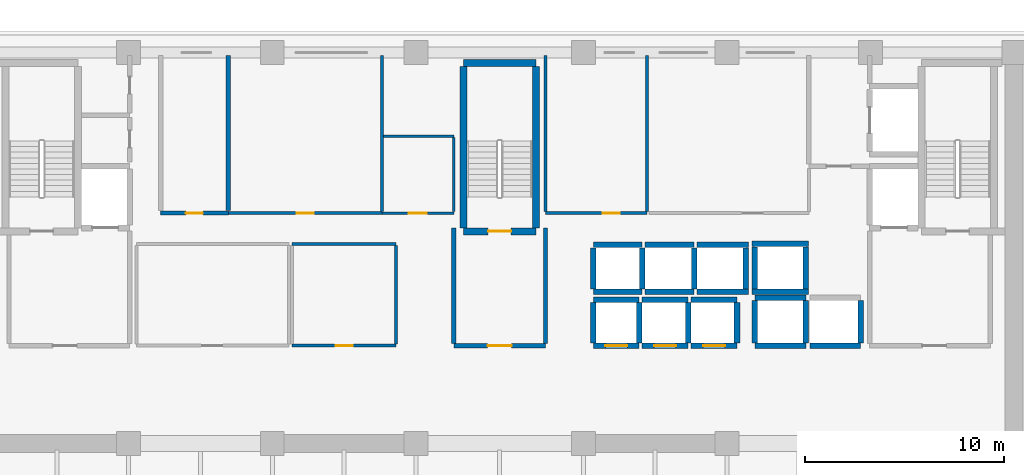
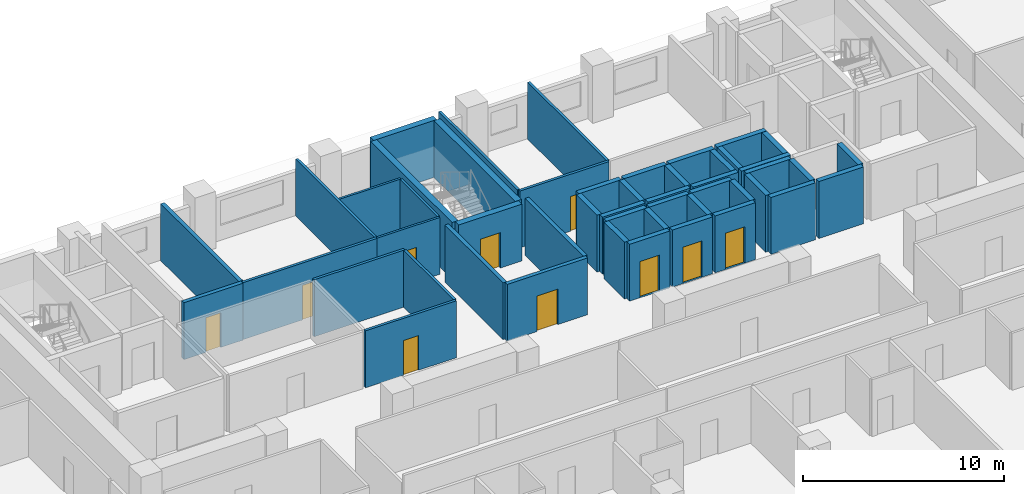
# One storey, part 7 of 15: 50 walls, 10 doors, 10 openings.
"""IFC4 building model written with IfcOpenShell, lengths in metres."""

from ifc_helpers import new_model, si_unit, direction, frame, frame_2d, origin, place, context, subcontext, project, spatial, rectangle, extrude, material, layer, layer_set, type_object, element, fill, save


model = new_model("IFC4")

# Units and contexts
model_context = context("Model", 3, precision=1e-05, world=origin(), true_north=direction((0.0, 1.0)))
body_context = subcontext(model_context, "Body", "Model", "MODEL_VIEW")
ifc_project = project(units=[si_unit("LENGTHUNIT", "METRE"), si_unit("AREAUNIT", "SQUARE_METRE"), si_unit("VOLUMEUNIT", "CUBIC_METRE"), si_unit("PLANEANGLEUNIT", "RADIAN"), si_unit("MASSUNIT", "GRAM", prefix="KILO")], contexts=[model_context])

# Site, building, storey
site_placement = place(None, origin())
site = spatial("IfcSite", under=ifc_project, at=site_placement, CompositionType="ELEMENT")
building_placement = place(site_placement, origin())
building = spatial("IfcBuilding", under=site, at=building_placement, Name="Kaelvorn Grand Hotel", CompositionType="ELEMENT")
storey_placement = place(building_placement, frame((0.0, 0.0, 180.949951171875)))
storey = spatial("IfcBuildingStorey", under=building, at=storey_placement, Name="L44", CompositionType="ELEMENT", Elevation=180.949951171875)

# Wall, opening, door
ifc_material_1 = material(Name="Moisture-Resistant Tile & Stud Board")
ifc_layer_1 = layer(ifc_material_1, 0.125)
ifc_layer_set_1 = layer_set([ifc_layer_1], Name="Moisture-Resistant Tile & Stud Board")
wall_type_1 = type_object("IfcWallType", Name="WL-PART-125-WET", PredefinedType="PARTITIONING", material=ifc_layer_set_1)
wall_1_placement = place(storey_placement, frame((36.110107421875, 40.949951171875, 0.0), z_axis=(0.0, 0.0, 1.0), x_axis=(1.0, 0.0, 0.0)))
wall_1 = element("IfcWall", 1, at=wall_1_placement, inside=storey, type_object=wall_type_1, Name="L44 Accessible WC S Partition", PredefinedType="PARTITIONING", context=body_context, shape_type="SweptSolid", body=[
    extrude(rectangle(XDim=3.58984375, YDim=0.125, at=frame_2d((1.794921875, 0.0))), origin(), (0.0, 0.0, 1.0), 3.449951171875),
])
opening_1_placement = place(wall_1_placement, frame((1.340087890625, 0.0, 0.0)))
opening_1 = element("IfcOpeningElement", 2, at=opening_1_placement, cuts=wall_1, Name="Opening DI4", PredefinedType="OPENING", context=body_context, shape_type="SweptSolid", body=[
    extrude(rectangle(XDim=0.89990234375, YDim=2.10009765625, at=frame_2d((0.449951171875, 1.050048828125))), frame((0.0, 0.072509765625, 0.0), z_axis=(0.0, -1.0, 0.0), x_axis=(1.0, 0.0, 0.0)), (0.0, 0.0, 1.0), 0.14501953125),
])
ifc_material_2 = material(Name="Timber Veneer Leaf", Category="wood")
door_type_1 = type_object("IfcDoorType", Name="DR-INT-BATH-900x2100", OperationType="NOTDEFINED", PredefinedType="DOOR", material=ifc_material_2)
door_1_placement = place(opening_1_placement, origin())
door_1 = element("IfcDoor", 3, at=door_1_placement, inside=storey, type_object=door_type_1, Name="L44 Accessible WC Door", OperationType="SINGLE_SWING_RIGHT", OverallHeight=2.10009765625, OverallWidth=0.89990234375, PredefinedType="DOOR", context=body_context, shape_type="SweptSolid", body=[
    extrude(rectangle(XDim=0.89990234375, YDim=2.10009765625, at=frame_2d((0.449951171875, 1.050048828125))), frame((0.0, 0.02490234375, 0.0), z_axis=(0.0, -1.0, 0.0), x_axis=(1.0, 0.0, 0.0)), (0.0, 0.0, 1.0), 0.050048828125),
])
fill(opening_1, door_1)

# Walls
wall_2_placement = place(storey_placement, frame((36.179931640625, 44.800048828125, 0.0), z_axis=(0.0, 0.0, 1.0), x_axis=(1.0, 0.0, 0.0)))
element("IfcWall", 4, at=wall_2_placement, inside=storey, type_object=wall_type_1, Name="L44 Accessible WC N Partition", PredefinedType="PARTITIONING", context=body_context, shape_type="SweptSolid", body=[
    extrude(rectangle(XDim=3.52001953125, YDim=0.125, at=frame_2d((1.760009765625, 0.0))), origin(), (0.0, 0.0, 1.0), 3.449951171875),
])
wall_3_placement = place(storey_placement, frame((39.699951171875, 41.017578125, 0.0), z_axis=(0.0, 0.0, 1.0), x_axis=(0.0, 1.0, 0.0)))
element("IfcWall", 5, at=wall_3_placement, inside=storey, type_object=wall_type_1, Name="L44 Accessible WC E Partition", PredefinedType="PARTITIONING", context=body_context, shape_type="SweptSolid", body=[
    extrude(rectangle(XDim=3.71484375, YDim=0.125, at=frame_2d((1.857421875, 0.0))), origin(), (0.0, 0.0, 1.0), 3.449951171875),
])

# Wall, opening, door
ifc_material_3 = material(Name="Acoustic Gypsum & Stud Partition")
ifc_layer_2 = layer(ifc_material_3, 0.14990234375)
ifc_layer_set_2 = layer_set([ifc_layer_2], Name="Acoustic Gypsum & Stud Partition")
wall_type_2 = type_object("IfcWallType", Name="WL-PART-150-EI60", PredefinedType="PARTITIONING", material=ifc_layer_set_2)
wall_4_placement = place(storey_placement, frame((31.60009765625, 34.300048828125, 0.0), z_axis=(0.0, 0.0, 1.0), x_axis=(1.0, 0.0, 0.0)))
wall_4 = element("IfcWall", 6, at=wall_4_placement, inside=storey, type_object=wall_type_2, Name="L44 Core Telecoms & BMS Server Room S Partition", PredefinedType="PARTITIONING", context=body_context, shape_type="SweptSolid", body=[
    extrude(rectangle(XDim=5.199951171875, YDim=0.14990234375, at=frame_2d((2.60009765625, 0.0))), origin(), (0.0, 0.0, 1.0), 3.449951171875),
])
opening_2_placement = place(wall_4_placement, frame((2.175048828125, 0.0, 0.0)))
opening_2 = element("IfcOpeningElement", 7, at=opening_2_placement, cuts=wall_4, Name="Opening DI7", PredefinedType="OPENING", context=body_context, shape_type="SweptSolid", body=[
    extrude(rectangle(XDim=0.85009765625, YDim=2.10009765625, at=frame_2d((0.425048828125, 1.050048828125))), frame((0.0, 0.0849609375, 0.0), z_axis=(0.0, -1.0, 0.0), x_axis=(1.0, 0.0, 0.0)), (0.0, 0.0, 1.0), 0.169921875),
])
ifc_material_4 = material(Name="Powder-Coated Steel Leaf", Category="steel")
door_type_2 = type_object("IfcDoorType", Name="DR-INT-RISER-850x2100", OperationType="NOTDEFINED", PredefinedType="DOOR", material=ifc_material_4)
door_2_placement = place(opening_2_placement, origin())
door_2 = element("IfcDoor", 8, at=door_2_placement, inside=storey, type_object=door_type_2, Name="L44 Core Telecoms & BMS Server Room Door", OperationType="SINGLE_SWING_RIGHT", OverallHeight=2.10009765625, OverallWidth=0.85009765625, PredefinedType="DOOR", context=body_context, shape_type="SweptSolid", body=[
    extrude(rectangle(XDim=0.85009765625, YDim=2.10009765625, at=frame_2d((0.425048828125, 1.050048828125))), frame((0.0, 0.02490234375, 0.0), z_axis=(0.0, -1.0, 0.0), x_axis=(1.0, 0.0, 0.0)), (0.0, 0.0, 1.0), 0.050048828125),
])
fill(opening_2, door_2)

# Walls
wall_5_placement = place(storey_placement, frame((31.60009765625, 39.39990234375, 0.0), z_axis=(0.0, 0.0, 1.0), x_axis=(1.0, 0.0, 0.0)))
element("IfcWall", 9, at=wall_5_placement, inside=storey, type_object=wall_type_2, Name="L44 Core Telecoms & BMS Server Room N Partition", PredefinedType="PARTITIONING", context=body_context, shape_type="SweptSolid", body=[
    extrude(rectangle(XDim=5.199951171875, YDim=0.14990234375, at=frame_2d((2.60009765625, 0.0))), origin(), (0.0, 0.0, 1.0), 3.449951171875),
])
wall_6_placement = place(storey_placement, frame((36.800048828125, 34.3798828125, 0.0), z_axis=(0.0, 0.0, 1.0), x_axis=(0.0, 1.0, 0.0)))
element("IfcWall", 10, at=wall_6_placement, inside=storey, type_object=wall_type_2, Name="L44 Core Telecoms & BMS Server Room E Partition", PredefinedType="PARTITIONING", context=body_context, shape_type="SweptSolid", body=[
    extrude(rectangle(XDim=4.940185546875, YDim=0.14990234375, at=frame_2d((2.47021484375, 0.0))), origin(), (0.0, 0.0, 1.0), 3.449951171875),
])

# Wall, opening, door
wall_7_placement = place(storey_placement, frame((28.409912109375, 40.949951171875, 0.0), z_axis=(0.0, 0.0, 1.0), x_axis=(1.0, 0.0, 0.0)))
wall_7 = element("IfcWall", 11, at=wall_7_placement, inside=storey, type_object=wall_type_2, Name="L44 Housekeeping & Linen Room S Partition", PredefinedType="PARTITIONING", context=body_context, shape_type="SweptSolid", body=[
    extrude(rectangle(XDim=7.690185546875, YDim=0.14990234375, at=frame_2d((3.84521484375, 0.0))), origin(), (0.0, 0.0, 1.0), 3.449951171875),
])
opening_3_placement = place(wall_7_placement, frame((3.4150390625, 0.0, 0.0)))
opening_3 = element("IfcOpeningElement", 12, at=opening_3_placement, cuts=wall_7, Name="Opening DI7", PredefinedType="OPENING", context=body_context, shape_type="SweptSolid", body=[
    extrude(rectangle(XDim=0.85009765625, YDim=2.10009765625, at=frame_2d((0.425048828125, 1.050048828125))), frame((0.0, 0.0849609375, 0.0), z_axis=(0.0, -1.0, 0.0), x_axis=(1.0, 0.0, 0.0)), (0.0, 0.0, 1.0), 0.169921875),
])
door_3_placement = place(opening_3_placement, origin())
door_3 = element("IfcDoor", 13, at=door_3_placement, inside=storey, type_object=door_type_2, Name="L44 Housekeeping & Linen Room Door", OperationType="SINGLE_SWING_LEFT", OverallHeight=2.10009765625, OverallWidth=0.85009765625, PredefinedType="DOOR", context=body_context, shape_type="SweptSolid", body=[
    extrude(rectangle(XDim=0.85009765625, YDim=2.10009765625, at=frame_2d((0.425048828125, 1.050048828125))), frame((0.0, 0.02490234375, 0.0), z_axis=(0.0, -1.0, 0.0), x_axis=(1.0, 0.0, 0.0)), (0.0, 0.0, 1.0), 0.050048828125),
])
fill(opening_3, door_3)

# Wall
wall_8_placement = place(storey_placement, frame((36.10009765625, 41.030029296875, 0.0), z_axis=(0.0, 0.0, 1.0), x_axis=(0.0, 1.0, 0.0)))
element("IfcWall", 14, at=wall_8_placement, inside=storey, type_object=wall_type_2, Name="L44 Housekeeping & Linen Room E Partition", PredefinedType="PARTITIONING", context=body_context, shape_type="SweptSolid", body=[
    extrude(rectangle(XDim=7.820068359375, YDim=0.14990234375, at=frame_2d((3.91015625, 0.0))), origin(), (0.0, 0.0, 1.0), 3.449951171875),
])

# Wall, opening, door
wall_9_placement = place(storey_placement, frame((44.300048828125, 40.949951171875, 0.0), z_axis=(0.0, 0.0, 1.0), x_axis=(1.0, 0.0, 0.0)))
wall_9 = element("IfcWall", 15, at=wall_9_placement, inside=storey, type_object=wall_type_2, Name="L44 Laundry Chute Vestibule S Partition", PredefinedType="PARTITIONING", context=body_context, shape_type="SweptSolid", body=[
    extrude(rectangle(XDim=5.099853515625, YDim=0.14990234375, at=frame_2d((2.5498046875, 0.0))), origin(), (0.0, 0.0, 1.0), 3.449951171875),
])
opening_4_placement = place(wall_9_placement, frame((2.875, 0.0, 0.0)))
opening_4 = element("IfcOpeningElement", 16, at=opening_4_placement, cuts=wall_9, Name="Opening DI7", PredefinedType="OPENING", context=body_context, shape_type="SweptSolid", body=[
    extrude(rectangle(XDim=0.85009765625, YDim=2.10009765625, at=frame_2d((0.425048828125, 1.050048828125))), frame((0.0, 0.0849609375, 0.0), z_axis=(0.0, -1.0, 0.0), x_axis=(1.0, 0.0, 0.0)), (0.0, 0.0, 1.0), 0.169921875),
])
door_4_placement = place(opening_4_placement, origin())
door_4 = element("IfcDoor", 17, at=door_4_placement, inside=storey, type_object=door_type_2, Name="L44 Laundry Chute Vestibule Door", OperationType="SINGLE_SWING_LEFT", OverallHeight=2.10009765625, OverallWidth=0.85009765625, PredefinedType="DOOR", context=body_context, shape_type="SweptSolid", body=[
    extrude(rectangle(XDim=0.85009765625, YDim=2.10009765625, at=frame_2d((0.425048828125, 1.050048828125))), frame((0.0, 0.02490234375, 0.0), z_axis=(0.0, -1.0, 0.0), x_axis=(1.0, 0.0, 0.0)), (0.0, 0.0, 1.0), 0.050048828125),
])
fill(opening_4, door_4)

# Walls
for number, where, z_axis, x_axis, name in (
    (18, (44.300048828125, 41.030029296875, 0.0), (0.0, 0.0, 1.0), (0.0, 1.0, 0.0), "L44 Laundry Chute Vestibule W Partition"),
    (19, (49.39990234375, 41.030029296875, 0.0), (0.0, 0.0, 1.0), (0.0, 1.0, 0.0), "L44 Laundry Chute Vestibule E Partition"),
):
    element("IfcWall", number, at=place(storey_placement, frame(where, z_axis=z_axis, x_axis=x_axis)), inside=storey, type_object=wall_type_2, Name=name, PredefinedType="PARTITIONING", context=body_context, shape_type="SweptSolid", body=[
        extrude(rectangle(XDim=7.820068359375, YDim=0.14990234375, at=frame_2d((3.91015625, 0.0))), origin(), (0.0, 0.0, 1.0), 3.449951171875),
    ])

# Wall, opening, door
ifc_material_5 = material(Name="Concrete C40/50", Category="concrete")
ifc_layer_3 = layer(ifc_material_5, 0.219970703125)
ifc_layer_set_3 = layer_set([ifc_layer_3], Name="Concrete C40/50")
wall_type_3 = type_object("IfcWallType", Name="WL-PART-220-EI120", PredefinedType="PARTITIONING", material=ifc_layer_set_3)
wall_10_placement = place(storey_placement, frame((39.699951171875, 34.300048828125, 0.0), z_axis=(0.0, 0.0, 1.0), x_axis=(1.0, 0.0, 0.0)))
wall_10 = element("IfcWall", 20, at=wall_10_placement, inside=storey, type_object=wall_type_3, Name="L44 Central Stair Escape Vestibule S Partition", PredefinedType="PARTITIONING", context=body_context, shape_type="SweptSolid", body=[
    extrude(rectangle(XDim=4.60009765625, YDim=0.219970703125, at=frame_2d((2.300048828125, 0.0))), origin(), (0.0, 0.0, 1.0), 3.449951171875),
])
opening_5_placement = place(wall_10_placement, frame((1.699951171875, 0.0, 0.0)))
opening_5 = element("IfcOpeningElement", 21, at=opening_5_placement, cuts=wall_10, Name="Opening DI2", PredefinedType="OPENING", context=body_context, shape_type="SweptSolid", body=[
    extrude(rectangle(XDim=1.199951171875, YDim=2.14990234375, at=frame_2d((0.60009765625, 1.074951171875))), frame((0.0, 0.1201171875, 0.0), z_axis=(0.0, -1.0, 0.0), x_axis=(1.0, 0.0, 0.0)), (0.0, 0.0, 1.0), 0.239990234375),
])
ifc_material_6 = material(Name="Timber Veneer Fire Leaf", Category="wood")
door_type_3 = type_object("IfcDoorType", Name="DR-INT-FFLOB-1200x2150", OperationType="NOTDEFINED", PredefinedType="DOOR", material=ifc_material_6)
door_5_placement = place(opening_5_placement, origin())
door_5 = element("IfcDoor", 22, at=door_5_placement, inside=storey, type_object=door_type_3, Name="L44 Central Stair Escape Vestibule Door", OperationType="SINGLE_SWING_RIGHT", OverallHeight=2.14990234375, OverallWidth=1.199951171875, PredefinedType="DOOR", context=body_context, shape_type="SweptSolid", body=[
    extrude(rectangle(XDim=1.199951171875, YDim=2.14990234375, at=frame_2d((0.60009765625, 1.074951171875))), frame((0.0, 0.02490234375, 0.0), z_axis=(0.0, -1.0, 0.0), x_axis=(1.0, 0.0, 0.0)), (0.0, 0.0, 1.0), 0.050048828125),
])
fill(opening_5, door_5)

# Walls
for number, where, z_axis, x_axis, name in (
    (23, (39.699951171875, 34.4150390625, 0.0), (0.0, 0.0, 1.0), (0.0, 1.0, 0.0), "L44 Central Stair Escape Vestibule W Partition"),
    (24, (44.300048828125, 34.4150390625, 0.0), (0.0, 0.0, 1.0), (0.0, 1.0, 0.0), "L44 Central Stair Escape Vestibule E Partition"),
):
    element("IfcWall", number, at=place(storey_placement, frame(where, z_axis=z_axis, x_axis=x_axis)), inside=storey, type_object=wall_type_3, Name=name, PredefinedType="PARTITIONING", context=body_context, shape_type="SweptSolid", body=[
        extrude(rectangle(XDim=5.784912109375, YDim=0.219970703125, at=frame_2d((2.892578125, 0.0))), origin(), (0.0, 0.0, 1.0), 3.449951171875),
    ])

# Wall, opening, door
wall_11_placement = place(storey_placement, frame((25.0, 40.949951171875, 0.0), z_axis=(0.0, 0.0, 1.0), x_axis=(1.0, 0.0, 0.0)))
wall_11 = element("IfcWall", 25, at=wall_11_placement, inside=storey, type_object=wall_type_3, Name="L44 Electrical Distribution Room S Partition", PredefinedType="PARTITIONING", context=body_context, shape_type="SweptSolid", body=[
    extrude(rectangle(XDim=3.39990234375, YDim=0.219970703125, at=frame_2d((1.699951171875, 0.0))), origin(), (0.0, 0.0, 1.0), 3.449951171875),
])
opening_6_placement = place(wall_11_placement, frame((1.27490234375, 0.0, 0.0)))
opening_6 = element("IfcOpeningElement", 26, at=opening_6_placement, cuts=wall_11, Name="Opening DI7", PredefinedType="OPENING", context=body_context, shape_type="SweptSolid", body=[
    extrude(rectangle(XDim=0.85009765625, YDim=2.10009765625, at=frame_2d((0.425048828125, 1.050048828125))), frame((0.0, 0.1201171875, 0.0), z_axis=(0.0, -1.0, 0.0), x_axis=(1.0, 0.0, 0.0)), (0.0, 0.0, 1.0), 0.239990234375),
])
door_6_placement = place(opening_6_placement, origin())
door_6 = element("IfcDoor", 27, at=door_6_placement, inside=storey, type_object=door_type_2, Name="L44 Electrical Distribution Room Door", OperationType="SINGLE_SWING_RIGHT", OverallHeight=2.10009765625, OverallWidth=0.85009765625, PredefinedType="DOOR", context=body_context, shape_type="SweptSolid", body=[
    extrude(rectangle(XDim=0.85009765625, YDim=2.10009765625, at=frame_2d((0.425048828125, 1.050048828125))), frame((0.0, 0.02490234375, 0.0), z_axis=(0.0, -1.0, 0.0), x_axis=(1.0, 0.0, 0.0)), (0.0, 0.0, 1.0), 0.050048828125),
])
fill(opening_6, door_6)

# Wall
wall_12_placement = place(storey_placement, frame((28.39990234375, 41.06494140625, 0.0), z_axis=(0.0, 0.0, 1.0), x_axis=(0.0, 1.0, 0.0)))
element("IfcWall", 28, at=wall_12_placement, inside=storey, type_object=wall_type_3, Name="L44 Electrical Distribution Room E Partition", PredefinedType="PARTITIONING", context=body_context, shape_type="SweptSolid", body=[
    extrude(rectangle(XDim=7.78515625, YDim=0.219970703125, at=frame_2d((3.892578125, 0.0))), origin(), (0.0, 0.0, 1.0), 3.449951171875),
])

# Wall, opening, door
ifc_material_7 = material(Name="Concrete C50/60", Category="concrete")
ifc_layer_4 = layer(ifc_material_7, 0.280029296875)
ifc_layer_set_4 = layer_set([ifc_layer_4], Name="Concrete C50/60")
wall_type_4 = type_object("IfcWallType", Name="WL-SHAFT-280-C50", PredefinedType="SHEAR", material=ifc_layer_set_4)
wall_13_placement = place(storey_placement, frame((46.699951171875, 34.300048828125, 0.0), z_axis=(0.0, 0.0, 1.0), x_axis=(1.0, 0.0, 0.0)))
wall_13 = element("IfcWall", 29, at=wall_13_placement, inside=storey, type_object=wall_type_4, Name="L44 Lift PL-M1 Shaft South Wall", PredefinedType="SHEAR", context=body_context, shape_type="SweptSolid", body=[
    extrude(rectangle(XDim=2.300048828125, YDim=0.280029296875, at=frame_2d((1.14990234375, 0.0))), origin(), (0.0, 0.0, 1.0), 3.449951171875),
])
opening_7_placement = place(wall_13_placement, frame((0.60009765625, 0.0, 0.0)))
opening_7 = element("IfcOpeningElement", 30, at=opening_7_placement, cuts=wall_13, Name="Opening LD-PL-M1", PredefinedType="OPENING", context=body_context, shape_type="SweptSolid", body=[
    extrude(rectangle(XDim=1.10009765625, YDim=2.199951171875, at=frame_2d((0.550048828125, 1.10009765625))), frame((0.0, 0.14990234375, 0.0), z_axis=(0.0, -1.0, 0.0), x_axis=(1.0, 0.0, 0.0)), (0.0, 0.0, 1.0), 0.300048828125),
])
ifc_material_8 = material(Name="Stainless Steel", Category="steel")
door_type_4 = type_object("IfcDoorType", Name="DR-LIFT-PASS-1100x2200", OperationType="DOUBLE_DOOR_SLIDING", PredefinedType="DOOR", material=ifc_material_8)
door_7_placement = place(opening_7_placement, origin())
door_7 = element("IfcDoor", 31, at=door_7_placement, inside=storey, type_object=door_type_4, Name="L44 Lift PL-M1 Sliding Landing Door LD-PL-M1", OperationType="DOUBLE_DOOR_SLIDING", OverallHeight=2.199951171875, OverallWidth=1.10009765625, PredefinedType="DOOR", context=body_context, shape_type="SweptSolid", body=[
    extrude(rectangle(XDim=1.10009765625, YDim=2.199951171875, at=frame_2d((0.550048828125, 1.10009765625))), frame((0.0, 0.02490234375, 0.0), z_axis=(0.0, -1.0, 0.0), x_axis=(1.0, 0.0, 0.0)), (0.0, 0.0, 1.0), 0.050048828125),
])
fill(opening_7, door_7)

# Walls
wall_14_placement = place(storey_placement, frame((46.699951171875, 36.60009765625, 0.0), z_axis=(0.0, 0.0, 1.0), x_axis=(1.0, 0.0, 0.0)))
element("IfcWall", 32, at=wall_14_placement, inside=storey, type_object=wall_type_4, Name="L44 Lift PL-M1 Shaft North Wall", PredefinedType="SHEAR", context=body_context, shape_type="SweptSolid", body=[
    extrude(rectangle(XDim=2.300048828125, YDim=0.280029296875, at=frame_2d((1.14990234375, 0.0))), origin(), (0.0, 0.0, 1.0), 3.449951171875),
])
for number, where, z_axis, x_axis, name in (
    (33, (46.699951171875, 34.445068359375, 0.0), (0.0, 0.0, 1.0), (0.0, 1.0, 0.0), "L44 Lift PL-M1 Shaft West Wall"),
    (34, (49.0, 34.445068359375, 0.0), (0.0, 0.0, 1.0), (0.0, 1.0, 0.0), "L44 Lift PL-M1 Shaft East Wall"),
):
    element("IfcWall", number, at=place(storey_placement, frame(where, z_axis=z_axis, x_axis=x_axis)), inside=storey, type_object=wall_type_4, Name=name, PredefinedType="SHEAR", context=body_context, shape_type="SweptSolid", body=[
        extrude(rectangle(XDim=2.010009765625, YDim=0.280029296875, at=frame_2d((1.0048828125, 0.0))), origin(), (0.0, 0.0, 1.0), 3.449951171875),
    ])

# Wall, opening, door
wall_15_placement = place(storey_placement, frame((49.14990234375, 34.300048828125, 0.0), z_axis=(0.0, 0.0, 1.0), x_axis=(1.0, 0.0, 0.0)))
wall_15 = element("IfcWall", 35, at=wall_15_placement, inside=storey, type_object=wall_type_4, Name="L44 Lift PL-M2 Shaft South Wall", PredefinedType="SHEAR", context=body_context, shape_type="SweptSolid", body=[
    extrude(rectangle(XDim=2.300048828125, YDim=0.280029296875, at=frame_2d((1.14990234375, 0.0))), origin(), (0.0, 0.0, 1.0), 3.449951171875),
])
opening_8_placement = place(wall_15_placement, frame((0.60009765625, 0.0, 0.0)))
opening_8 = element("IfcOpeningElement", 36, at=opening_8_placement, cuts=wall_15, Name="Opening LD-PL-M2", PredefinedType="OPENING", context=body_context, shape_type="SweptSolid", body=[
    extrude(rectangle(XDim=1.10009765625, YDim=2.199951171875, at=frame_2d((0.550048828125, 1.10009765625))), frame((0.0, 0.14990234375, 0.0), z_axis=(0.0, -1.0, 0.0), x_axis=(1.0, 0.0, 0.0)), (0.0, 0.0, 1.0), 0.300048828125),
])
door_8_placement = place(opening_8_placement, origin())
door_8 = element("IfcDoor", 37, at=door_8_placement, inside=storey, type_object=door_type_4, Name="L44 Lift PL-M2 Sliding Landing Door LD-PL-M2", OperationType="DOUBLE_DOOR_SLIDING", OverallHeight=2.199951171875, OverallWidth=1.10009765625, PredefinedType="DOOR", context=body_context, shape_type="SweptSolid", body=[
    extrude(rectangle(XDim=1.10009765625, YDim=2.199951171875, at=frame_2d((0.550048828125, 1.10009765625))), frame((0.0, 0.02490234375, 0.0), z_axis=(0.0, -1.0, 0.0), x_axis=(1.0, 0.0, 0.0)), (0.0, 0.0, 1.0), 0.050048828125),
])
fill(opening_8, door_8)

# Walls
wall_16_placement = place(storey_placement, frame((49.14990234375, 36.60009765625, 0.0), z_axis=(0.0, 0.0, 1.0), x_axis=(1.0, 0.0, 0.0)))
element("IfcWall", 38, at=wall_16_placement, inside=storey, type_object=wall_type_4, Name="L44 Lift PL-M2 Shaft North Wall", PredefinedType="SHEAR", context=body_context, shape_type="SweptSolid", body=[
    extrude(rectangle(XDim=2.300048828125, YDim=0.280029296875, at=frame_2d((1.14990234375, 0.0))), origin(), (0.0, 0.0, 1.0), 3.449951171875),
])
wall_17_placement = place(storey_placement, frame((51.449951171875, 34.445068359375, 0.0), z_axis=(0.0, 0.0, 1.0), x_axis=(0.0, 1.0, 0.0)))
element("IfcWall", 39, at=wall_17_placement, inside=storey, type_object=wall_type_4, Name="L44 Lift PL-M2 Shaft East Wall", PredefinedType="SHEAR", context=body_context, shape_type="SweptSolid", body=[
    extrude(rectangle(XDim=2.010009765625, YDim=0.280029296875, at=frame_2d((1.0048828125, 0.0))), origin(), (0.0, 0.0, 1.0), 3.449951171875),
])

# Wall, opening, door
wall_18_placement = place(storey_placement, frame((51.60009765625, 34.300048828125, 0.0), z_axis=(0.0, 0.0, 1.0), x_axis=(1.0, 0.0, 0.0)))
wall_18 = element("IfcWall", 40, at=wall_18_placement, inside=storey, type_object=wall_type_4, Name="L44 Lift PL-M3 Shaft South Wall", PredefinedType="SHEAR", context=body_context, shape_type="SweptSolid", body=[
    extrude(rectangle(XDim=2.2998046875, YDim=0.280029296875, at=frame_2d((1.14990234375, 0.0))), origin(), (0.0, 0.0, 1.0), 3.449951171875),
])
opening_9_placement = place(wall_18_placement, frame((0.60009765625, 0.0, 0.0)))
opening_9 = element("IfcOpeningElement", 41, at=opening_9_placement, cuts=wall_18, Name="Opening LD-PL-M3", PredefinedType="OPENING", context=body_context, shape_type="SweptSolid", body=[
    extrude(rectangle(XDim=1.10009765625, YDim=2.199951171875, at=frame_2d((0.550048828125, 1.10009765625))), frame((0.0, 0.14990234375, 0.0), z_axis=(0.0, -1.0, 0.0), x_axis=(1.0, 0.0, 0.0)), (0.0, 0.0, 1.0), 0.300048828125),
])
door_9_placement = place(opening_9_placement, origin())
door_9 = element("IfcDoor", 42, at=door_9_placement, inside=storey, type_object=door_type_4, Name="L44 Lift PL-M3 Sliding Landing Door LD-PL-M3", OperationType="DOUBLE_DOOR_SLIDING", OverallHeight=2.199951171875, OverallWidth=1.10009765625, PredefinedType="DOOR", context=body_context, shape_type="SweptSolid", body=[
    extrude(rectangle(XDim=1.10009765625, YDim=2.199951171875, at=frame_2d((0.550048828125, 1.10009765625))), frame((0.0, 0.02490234375, 0.0), z_axis=(0.0, -1.0, 0.0), x_axis=(1.0, 0.0, 0.0)), (0.0, 0.0, 1.0), 0.050048828125),
])
fill(opening_9, door_9)

# Walls
wall_19_placement = place(storey_placement, frame((51.60009765625, 36.60009765625, 0.0), z_axis=(0.0, 0.0, 1.0), x_axis=(1.0, 0.0, 0.0)))
element("IfcWall", 43, at=wall_19_placement, inside=storey, type_object=wall_type_4, Name="L44 Lift PL-M3 Shaft North Wall", PredefinedType="SHEAR", context=body_context, shape_type="SweptSolid", body=[
    extrude(rectangle(XDim=2.2998046875, YDim=0.280029296875, at=frame_2d((1.14990234375, 0.0))), origin(), (0.0, 0.0, 1.0), 3.449951171875),
])
wall_20_placement = place(storey_placement, frame((53.89990234375, 34.445068359375, 0.0), z_axis=(0.0, 0.0, 1.0), x_axis=(0.0, 1.0, 0.0)))
element("IfcWall", 44, at=wall_20_placement, inside=storey, type_object=wall_type_4, Name="L44 Lift PL-M3 Shaft East Wall", PredefinedType="SHEAR", context=body_context, shape_type="SweptSolid", body=[
    extrude(rectangle(XDim=2.010009765625, YDim=0.280029296875, at=frame_2d((1.0048828125, 0.0))), origin(), (0.0, 0.0, 1.0), 3.449951171875),
])
for number, where, z_axis, x_axis, name in (
    (45, (46.699951171875, 37.0, 0.0), (0.0, 0.0, 1.0), (1.0, 0.0, 0.0), "L44 Lift SL-1 Shaft South Wall"),
    (46, (46.699951171875, 39.35009765625, 0.0), (0.0, 0.0, 1.0), (1.0, 0.0, 0.0), "L44 Lift SL-1 Shaft North Wall"),
):
    element("IfcWall", number, at=place(storey_placement, frame(where, z_axis=z_axis, x_axis=x_axis)), inside=storey, type_object=wall_type_4, Name=name, PredefinedType="SHEAR", context=body_context, shape_type="SweptSolid", body=[
        extrude(rectangle(XDim=2.449951171875, YDim=0.280029296875, at=frame_2d((1.22509765625, 0.0))), origin(), (0.0, 0.0, 1.0), 3.449951171875),
    ])
for number, where, z_axis, x_axis, name in (
    (47, (46.699951171875, 37.14501953125, 0.0), (0.0, 0.0, 1.0), (0.0, 1.0, 0.0), "L44 Lift SL-1 Shaft West Wall"),
    (48, (49.14990234375, 37.14501953125, 0.0), (0.0, 0.0, 1.0), (0.0, 1.0, 0.0), "L44 Lift SL-1 Shaft East Wall"),
):
    element("IfcWall", number, at=place(storey_placement, frame(where, z_axis=z_axis, x_axis=x_axis)), inside=storey, type_object=wall_type_4, Name=name, PredefinedType="SHEAR", context=body_context, shape_type="SweptSolid", body=[
        extrude(rectangle(XDim=2.06005859375, YDim=0.280029296875, at=frame_2d((1.030029296875, 0.0))), origin(), (0.0, 0.0, 1.0), 3.449951171875),
    ])
for number, where, z_axis, x_axis, name in (
    (49, (49.300048828125, 37.0, 0.0), (0.0, 0.0, 1.0), (1.0, 0.0, 0.0), "L44 Lift SL-2 Shaft South Wall"),
    (50, (49.300048828125, 39.35009765625, 0.0), (0.0, 0.0, 1.0), (1.0, 0.0, 0.0), "L44 Lift SL-2 Shaft North Wall"),
):
    element("IfcWall", number, at=place(storey_placement, frame(where, z_axis=z_axis, x_axis=x_axis)), inside=storey, type_object=wall_type_4, Name=name, PredefinedType="SHEAR", context=body_context, shape_type="SweptSolid", body=[
        extrude(rectangle(XDim=2.449951171875, YDim=0.280029296875, at=frame_2d((1.22509765625, 0.0))), origin(), (0.0, 0.0, 1.0), 3.449951171875),
    ])
wall_21_placement = place(storey_placement, frame((51.75, 37.14501953125, 0.0), z_axis=(0.0, 0.0, 1.0), x_axis=(0.0, 1.0, 0.0)))
element("IfcWall", 51, at=wall_21_placement, inside=storey, type_object=wall_type_4, Name="L44 Lift SL-2 Shaft East Wall", PredefinedType="SHEAR", context=body_context, shape_type="SweptSolid", body=[
    extrude(rectangle(XDim=2.06005859375, YDim=0.280029296875, at=frame_2d((1.030029296875, 0.0))), origin(), (0.0, 0.0, 1.0), 3.449951171875),
])
for number, where, z_axis, x_axis, name in (
    (52, (51.89990234375, 37.0, 0.0), (0.0, 0.0, 1.0), (1.0, 0.0, 0.0), "L44 Lift SL-3 Shaft South Wall"),
    (53, (51.89990234375, 39.35009765625, 0.0), (0.0, 0.0, 1.0), (1.0, 0.0, 0.0), "L44 Lift SL-3 Shaft North Wall"),
):
    element("IfcWall", number, at=place(storey_placement, frame(where, z_axis=z_axis, x_axis=x_axis)), inside=storey, type_object=wall_type_4, Name=name, PredefinedType="SHEAR", context=body_context, shape_type="SweptSolid", body=[
        extrude(rectangle(XDim=2.590087890625, YDim=0.280029296875, at=frame_2d((1.294921875, 0.0))), origin(), (0.0, 0.0, 1.0), 3.449951171875),
    ])
wall_22_placement = place(storey_placement, frame((54.35009765625, 37.14501953125, 0.0), z_axis=(0.0, 0.0, 1.0), x_axis=(0.0, 1.0, 0.0)))
element("IfcWall", 54, at=wall_22_placement, inside=storey, type_object=wall_type_4, Name="L44 Lift SL-3 Shaft East Wall", PredefinedType="SHEAR", context=body_context, shape_type="SweptSolid", body=[
    extrude(rectangle(XDim=2.06005859375, YDim=0.280029296875, at=frame_2d((1.030029296875, 0.0))), origin(), (0.0, 0.0, 1.0), 3.449951171875),
])
for number, where, z_axis, x_axis, name in (
    (55, (54.800048828125, 34.300048828125, 0.0), (0.0, 0.0, 1.0), (1.0, 0.0, 0.0), "L44 Lift OL-1 Shaft South Wall"),
    (56, (54.800048828125, 36.699951171875, 0.0), (0.0, 0.0, 1.0), (1.0, 0.0, 0.0), "L44 Lift OL-1 Shaft North Wall"),
):
    element("IfcWall", number, at=place(storey_placement, frame(where, z_axis=z_axis, x_axis=x_axis)), inside=storey, type_object=wall_type_4, Name=name, PredefinedType="SHEAR", context=body_context, shape_type="SweptSolid", body=[
        extrude(rectangle(XDim=2.550048828125, YDim=0.280029296875, at=frame_2d((1.27490234375, 0.0))), origin(), (0.0, 0.0, 1.0), 3.449951171875),
    ])
for number, where, z_axis, x_axis, name in (
    (57, (54.800048828125, 34.445068359375, 0.0), (0.0, 0.0, 1.0), (0.0, 1.0, 0.0), "L44 Lift OL-1 Shaft West Wall"),
    (58, (57.35009765625, 34.445068359375, 0.0), (0.0, 0.0, 1.0), (0.0, 1.0, 0.0), "L44 Lift OL-1 Shaft East Wall"),
):
    element("IfcWall", number, at=place(storey_placement, frame(where, z_axis=z_axis, x_axis=x_axis)), inside=storey, type_object=wall_type_4, Name=name, PredefinedType="SHEAR", context=body_context, shape_type="SweptSolid", body=[
        extrude(rectangle(XDim=2.10986328125, YDim=0.280029296875, at=frame_2d((1.054931640625, 0.0))), origin(), (0.0, 0.0, 1.0), 3.449951171875),
    ])
wall_23_placement = place(storey_placement, frame((57.550048828125, 34.300048828125, 0.0), z_axis=(0.0, 0.0, 1.0), x_axis=(1.0, 0.0, 0.0)))
element("IfcWall", 59, at=wall_23_placement, inside=storey, type_object=wall_type_4, Name="L44 Lift OL-2 Shaft South Wall", PredefinedType="SHEAR", context=body_context, shape_type="SweptSolid", body=[
    extrude(rectangle(XDim=2.550048828125, YDim=0.280029296875, at=frame_2d((1.27490234375, 0.0))), origin(), (0.0, 0.0, 1.0), 3.449951171875),
])
wall_24_placement = place(storey_placement, frame((60.10009765625, 34.445068359375, 0.0), z_axis=(0.0, 0.0, 1.0), x_axis=(0.0, 1.0, 0.0)))
element("IfcWall", 60, at=wall_24_placement, inside=storey, type_object=wall_type_4, Name="L44 Lift OL-2 Shaft East Wall", PredefinedType="SHEAR", context=body_context, shape_type="SweptSolid", body=[
    extrude(rectangle(XDim=2.10986328125, YDim=0.280029296875, at=frame_2d((1.054931640625, 0.0))), origin(), (0.0, 0.0, 1.0), 3.449951171875),
])
for number, where, z_axis, x_axis, name in (
    (61, (54.659912109375, 37.0, 0.0), (0.0, 0.0, 1.0), (1.0, 0.0, 0.0), "L44 Lift OL-3 Shaft South Wall"),
    (62, (54.659912109375, 39.39990234375, 0.0), (0.0, 0.0, 1.0), (1.0, 0.0, 0.0), "L44 Lift OL-3 Shaft North Wall"),
):
    element("IfcWall", number, at=place(storey_placement, frame(where, z_axis=z_axis, x_axis=x_axis)), inside=storey, type_object=wall_type_4, Name=name, PredefinedType="SHEAR", context=body_context, shape_type="SweptSolid", body=[
        extrude(rectangle(XDim=2.830078125, YDim=0.280029296875, at=frame_2d((1.4150390625, 0.0))), origin(), (0.0, 0.0, 1.0), 3.449951171875),
    ])
for number, where, z_axis, x_axis, name in (
    (63, (54.800048828125, 37.14501953125, 0.0), (0.0, 0.0, 1.0), (0.0, 1.0, 0.0), "L44 Lift OL-3 Shaft West Wall"),
    (64, (57.35009765625, 37.14501953125, 0.0), (0.0, 0.0, 1.0), (0.0, 1.0, 0.0), "L44 Lift OL-3 Shaft East Wall"),
):
    element("IfcWall", number, at=place(storey_placement, frame(where, z_axis=z_axis, x_axis=x_axis)), inside=storey, type_object=wall_type_4, Name=name, PredefinedType="SHEAR", context=body_context, shape_type="SweptSolid", body=[
        extrude(rectangle(XDim=2.10986328125, YDim=0.280029296875, at=frame_2d((1.054931640625, 0.0))), origin(), (0.0, 0.0, 1.0), 3.449951171875),
    ])

# Wall, opening, door
ifc_material_9 = material(Name="Concrete C60/75", Category="concrete")
ifc_layer_5 = layer(ifc_material_9, 0.35009765625)
ifc_layer_set_5 = layer_set([ifc_layer_5], Name="Concrete C60/75")
wall_type_5 = type_object("IfcWallType", Name="WL-SHAFT-350-C60", PredefinedType="SHEAR", material=ifc_layer_set_5)
wall_25_placement = place(storey_placement, frame((40.18505859375, 40.02490234375, 0.0), z_axis=(0.0, 0.0, 1.0), x_axis=(1.0, 0.0, 0.0)))
wall_25 = element("IfcWall", 65, at=wall_25_placement, inside=storey, type_object=wall_type_5, Name="L44 ST2 Stair Shaft South Wall", PredefinedType="SHEAR", context=body_context, shape_type="SweptSolid", body=[
    extrude(rectangle(XDim=3.6298828125, YDim=0.35009765625, at=frame_2d((1.81494140625, 0.0))), origin(), (0.0, 0.0, 1.0), 3.449951171875),
])
opening_10_placement = place(wall_25_placement, frame((1.239990234375, 0.0, 0.0)))
opening_10 = element("IfcOpeningElement", 66, at=opening_10_placement, cuts=wall_25, Name="Opening DI1", PredefinedType="OPENING", context=body_context, shape_type="SweptSolid", body=[
    extrude(rectangle(XDim=1.14990234375, YDim=2.14990234375, at=frame_2d((0.574951171875, 1.074951171875))), frame((0.0, 0.18505859375, 0.0), z_axis=(0.0, -1.0, 0.0), x_axis=(1.0, 0.0, 0.0)), (0.0, 0.0, 1.0), 0.3701171875),
])
door_type_5 = type_object("IfcDoorType", Name="DR-INT-STAIR-1150x2150", OperationType="NOTDEFINED", PredefinedType="DOOR", material=ifc_material_6)
door_10_placement = place(opening_10_placement, origin())
door_10 = element("IfcDoor", 67, at=door_10_placement, inside=storey, type_object=door_type_5, Name="L44 ST2 Exit Stair Fire Door", OperationType="SINGLE_SWING_RIGHT", OverallHeight=2.14990234375, OverallWidth=1.14990234375, PredefinedType="DOOR", context=body_context, shape_type="SweptSolid", body=[
    extrude(rectangle(XDim=1.14990234375, YDim=2.14990234375, at=frame_2d((0.574951171875, 1.074951171875))), frame((0.0, 0.02490234375, 0.0), z_axis=(0.0, -1.0, 0.0), x_axis=(1.0, 0.0, 0.0)), (0.0, 0.0, 1.0), 0.050048828125),
])
fill(opening_10, door_10)

# Walls
wall_26_placement = place(storey_placement, frame((40.18505859375, 48.47509765625, 0.0), z_axis=(0.0, 0.0, 1.0), x_axis=(1.0, 0.0, 0.0)))
element("IfcWall", 68, at=wall_26_placement, inside=storey, type_object=wall_type_5, Name="L44 ST2 Stair Shaft North Wall", PredefinedType="SHEAR", context=body_context, shape_type="SweptSolid", body=[
    extrude(rectangle(XDim=3.6298828125, YDim=0.35009765625, at=frame_2d((1.81494140625, 0.0))), origin(), (0.0, 0.0, 1.0), 3.449951171875),
])
for number, where, z_axis, x_axis, name in (
    (69, (40.18505859375, 40.205078125, 0.0), (0.0, 0.0, 1.0), (0.0, 1.0, 0.0), "L44 ST2 Stair Shaft West Wall"),
    (70, (43.81494140625, 40.205078125, 0.0), (0.0, 0.0, 1.0), (0.0, 1.0, 0.0), "L44 ST2 Stair Shaft East Wall"),
):
    element("IfcWall", number, at=place(storey_placement, frame(where, z_axis=z_axis, x_axis=x_axis)), inside=storey, type_object=wall_type_5, Name=name, PredefinedType="SHEAR", context=body_context, shape_type="SweptSolid", body=[
        extrude(rectangle(XDim=8.08984375, YDim=0.35009765625, at=frame_2d((4.044921875, 0.0))), origin(), (0.0, 0.0, 1.0), 3.449951171875),
    ])

save(model, "model.ifc")
